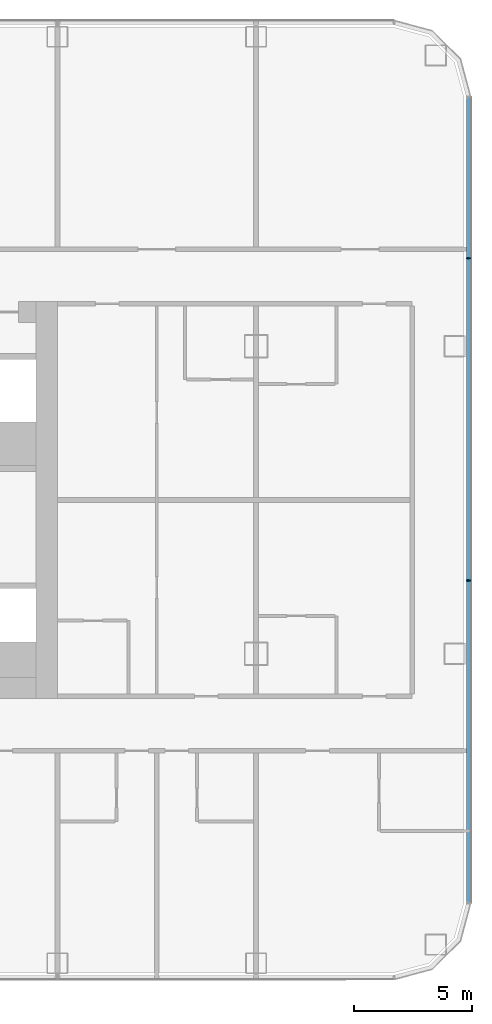
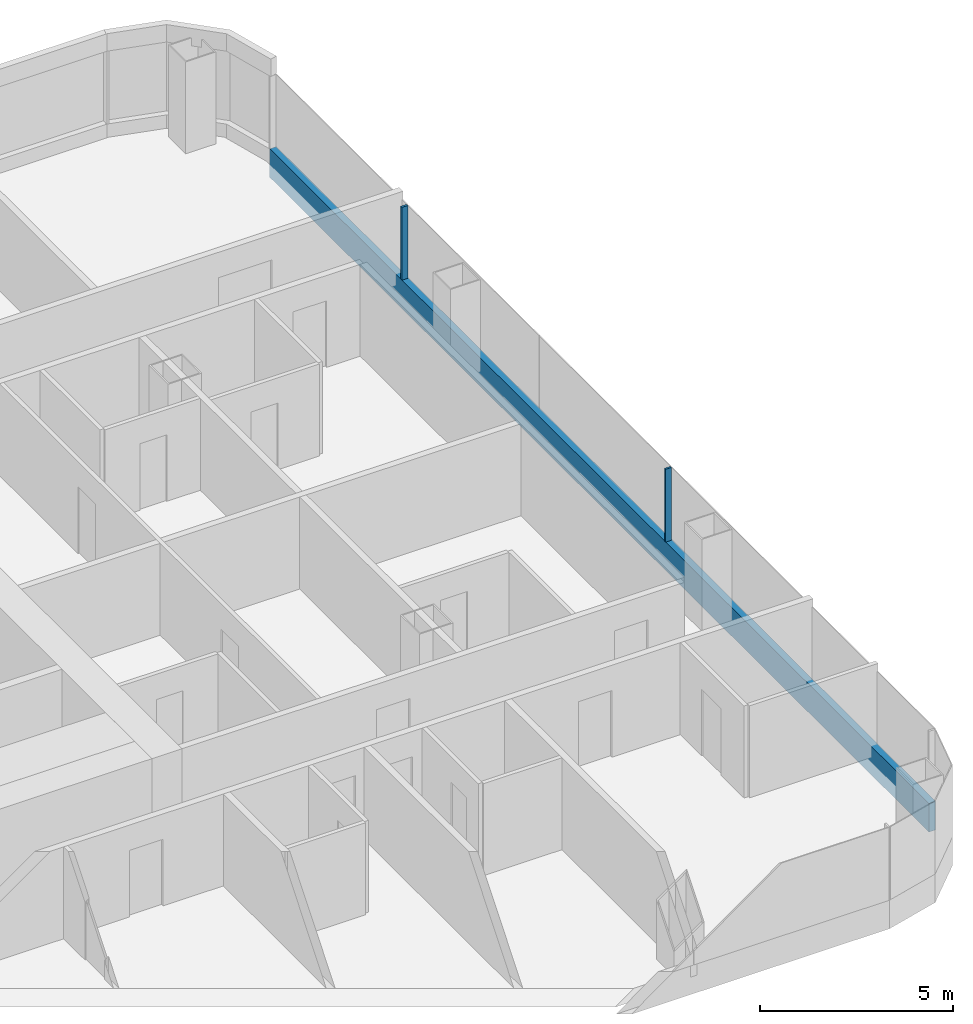
# One storey, part 10 of 29: 3 members, 1 element without a shape of its own.
"""IFC4 building model written with IfcOpenShell, lengths in metres."""

from ifc_helpers import new_model, si_unit, direction, frame, origin, origin_2d, place, context, subcontext, project, spatial, rectangle, extrude, material, layer, layer_set, material_profile, profile_set, type_object, element, aggregate, save


model = new_model("IFC4")

# Units and contexts
model_context = context("Model", 3, precision=1e-05, world=origin(), true_north=direction((0.0, 1.0)))
body_context = subcontext(model_context, "Body", "Model", "MODEL_VIEW")
ifc_project = project(units=[si_unit("LENGTHUNIT", "METRE"), si_unit("AREAUNIT", "SQUARE_METRE"), si_unit("VOLUMEUNIT", "CUBIC_METRE"), si_unit("PLANEANGLEUNIT", "RADIAN"), si_unit("MASSUNIT", "GRAM", prefix="KILO")], contexts=[model_context])

# Site, building, storey
site_placement = place(None, origin())
site = spatial("IfcSite", under=ifc_project, at=site_placement, CompositionType="ELEMENT")
building_placement = place(site_placement, origin())
building = spatial("IfcBuilding", under=site, at=building_placement, Name="Hakoniwa Tower and Hamabe Station Hall", CompositionType="ELEMENT")
storey_placement = place(building_placement, frame((0.0, 0.0, 61.39990234375)))
storey = spatial("IfcBuildingStorey", under=building, at=storey_placement, Name="L17", CompositionType="ELEMENT", Elevation=61.39990234375)

# Curtain wall, members
ifc_material_1 = material(Name="Dark low-e laminated glass", Category="glass")
ifc_layer = layer(ifc_material_1, 0.199951171875)
ifc_layer_set = layer_set([ifc_layer], Name="CW-1 UNITISED GUEST")
curtain_wall_type = type_object("IfcCurtainWallType", Name="CW-1 UNITISED GUEST", PredefinedType="NOTDEFINED", material=ifc_layer_set)
curtain_wall_placement = place(storey_placement, origin())
curtain_wall = element("IfcCurtainWall", 1, at=curtain_wall_placement, inside=storey, type_object=curtain_wall_type, Name="CW-1 curtain wall", PredefinedType="NOTDEFINED")
ifc_material_2 = material(Name="Aluminium 6063-T5 black anodised", Category="aluminium")
ifc_material_profile_1 = material_profile(ifc_material_2, rectangle(XDim=0.199951171875, YDim=0.89990234375, at=origin_2d()), Name="CW SLAB-EDGE BAND 900X200")
ifc_profile_set_1 = profile_set([ifc_material_profile_1], Name="Aluminium 6063-T5 black anodised")
member_type_1 = type_object("IfcMemberType", Name="CW SLAB-EDGE BAND 900X200", PredefinedType="USERDEFINED", material=ifc_profile_set_1)
member_1_placement = place(storey_placement, frame((51.0, -17.03955078125, -0.099853515625), z_axis=(0.0, 1.0, 0.0), x_axis=(-1.0, 0.0, 0.0)))
member_1 = element("IfcMember", 2, at=member_1_placement, type_object=member_type_1, Name="CW-1 transom", ObjectType="TRANSOM", PredefinedType="USERDEFINED", context=body_context, shape_type="SweptSolid", body=[
    extrude(rectangle(XDim=0.199951171875, YDim=0.89990234375, at=origin_2d()), origin(), (0.0, 0.0, 1.0), 34.0791015625),
])
ifc_material_3 = material(Name="Aluminium 6063-T5 black anodised", Category="aluminium")
ifc_material_profile_2 = material_profile(ifc_material_3, rectangle(XDim=0.06005859375, YDim=0.179931640625, at=origin_2d()), Name="CW-1 MULLION 60X180")
ifc_profile_set_2 = profile_set([ifc_material_profile_2], Name="Aluminium 6063-T5 black anodised")
member_type_2 = type_object("IfcMemberType", Name="CW-1 MULLION 60X180", PredefinedType="MULLION", material=ifc_profile_set_2)
member_2_placement = place(storey_placement, frame((50.98193359375, -3.407958984375, 0.35009765625), z_axis=(0.0, 0.0, 1.0), x_axis=(0.0, 1.0, 0.0)))
member_2 = element("IfcMember", 3, at=member_2_placement, type_object=member_type_2, Name="CW-1 mullion", PredefinedType="MULLION", context=body_context, shape_type="SweptSolid", body=[
    extrude(rectangle(XDim=0.06005859375, YDim=0.179931640625, at=origin_2d()), origin(), (0.0, 0.0, 1.0), 2.300048828125),
])
member_3_placement = place(storey_placement, frame((50.98193359375, 10.2236328125, 0.35009765625), z_axis=(0.0, 0.0, 1.0), x_axis=(0.0, 1.0, 0.0)))
member_3 = element("IfcMember", 4, at=member_3_placement, type_object=member_type_2, Name="CW-1 mullion", PredefinedType="MULLION", context=body_context, shape_type="SweptSolid", body=[
    extrude(rectangle(XDim=0.06005859375, YDim=0.179931640625, at=origin_2d()), origin(), (0.0, 0.0, 1.0), 2.300048828125),
])
aggregate(curtain_wall, [member_2, member_3, member_1])

save(model, "model.ifc")
